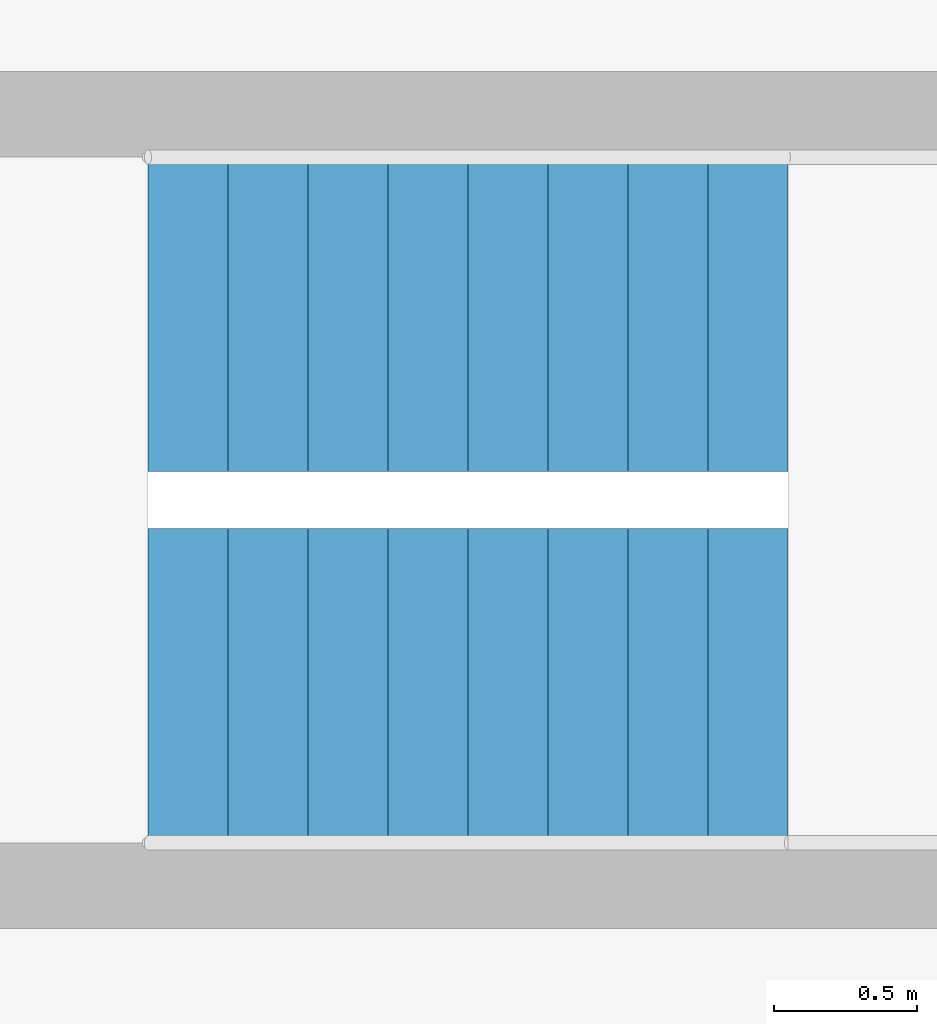
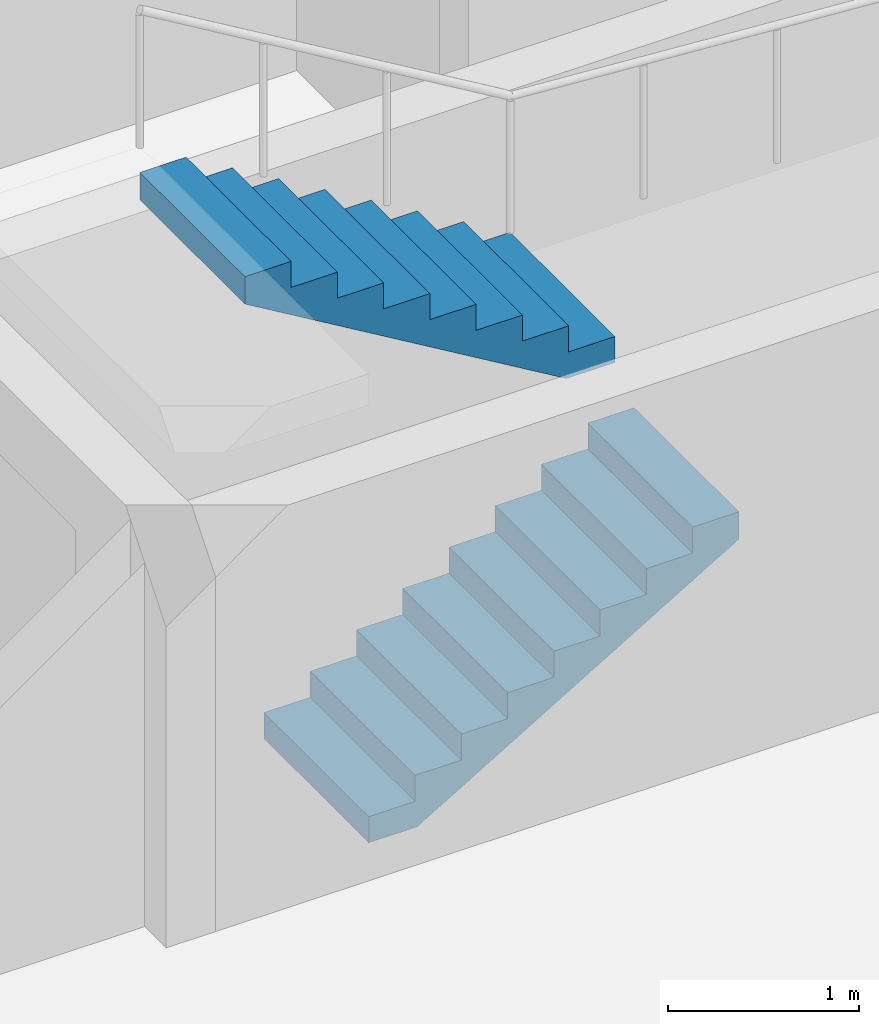
# One storey, part 12 of 14: 2 stair flights, 1 element without a shape of its own.
"""IFC4 building model written with IfcOpenShell, lengths in metres."""

from ifc_helpers import new_model, si_unit, direction, frame, origin, place, context, subcontext, project, spatial, polyline, outline, extrude, material, type_object, element, aggregate, save


model = new_model("IFC4")

# Units and contexts
model_context = context("Model", 3, precision=1e-05, world=origin(), true_north=direction((0.0, 1.0)))
body_context = subcontext(model_context, "Body", "Model", "MODEL_VIEW")
ifc_project = project(units=[si_unit("LENGTHUNIT", "METRE"), si_unit("AREAUNIT", "SQUARE_METRE"), si_unit("VOLUMEUNIT", "CUBIC_METRE"), si_unit("PLANEANGLEUNIT", "RADIAN"), si_unit("MASSUNIT", "GRAM", prefix="KILO")], contexts=[model_context])

# Site, building, storey
site_placement = place(None, origin())
site = spatial("IfcSite", under=ifc_project, at=site_placement, CompositionType="ELEMENT")
building_placement = place(site_placement, origin())
building = spatial("IfcBuilding", under=site, at=building_placement, Name="Fustian Cross Tower", CompositionType="ELEMENT")
storey_placement = place(building_placement, frame((0.0, 0.0, 96.89990234375)))
storey = spatial("IfcBuildingStorey", under=building, at=storey_placement, Name="L30", CompositionType="ELEMENT", Elevation=96.89990234375)

# Stair, stair flights
ifc_material_1 = material(Name="Concrete C50/60", Category="concrete")
stair_type = type_object("IfcStairType", Name="STAIR 1100 HALF TURN", PredefinedType="HALF_TURN_STAIR", material=ifc_material_1)
stair_placement = place(storey_placement, origin())
stair = element("IfcStair", 1, at=stair_placement, inside=storey, type_object=stair_type, Name="Stair ST8", PredefinedType="HALF_TURN_STAIR")
ifc_material_2 = material(Name="Concrete C50/60", Category="concrete")
stair_flight_type = type_object("IfcStairFlightType", Name="STAIR FLIGHT 1100", PredefinedType="STRAIGHT", material=ifc_material_2)
stair_flight_1_placement = place(storey_placement, frame((37.89990234375, -0.64990234375, 0.0), z_axis=(0.0, 0.0, 1.0), x_axis=(1.0, 0.0, 0.0)))
stair_flight_1 = element("IfcStairFlight", 2, at=stair_flight_1_placement, type_object=stair_flight_type, Name="ST8 flight 1", NumberOfRisers=9, NumberOfTreads=8, PredefinedType="STRAIGHT", RiserHeight=0.166666667, TreadLength=0.28, context=body_context, shape_type="SweptSolid", body=[
    extrude(outline(polyline([(0.0, 0.0), (0.0, 0.166748046875), (0.280029296875, 0.166748046875), (0.280029296875, 0.333251953125), (0.56005859375, 0.333251953125), (0.56005859375, 0.5), (0.840087890625, 0.5), (0.840087890625, 0.666748046875), (1.1201171875, 0.666748046875), (1.1201171875, 0.833251953125), (1.39990234375, 0.833251953125), (1.39990234375, 1.0), (1.679931640625, 1.0), (1.679931640625, 1.166748046875), (1.9599609375, 1.166748046875), (1.9599609375, 1.333251953125), (2.239990234375, 1.333251953125), (2.239990234375, 1.5), (2.239990234375, 1.158935546875), (0.29296875, 0.0), (0.0, 0.0)])), frame((0.0, 0.550048828125, 0.0), z_axis=(0.0, -1.0, 0.0), x_axis=(1.0, 0.0, 0.0)), (0.0, 0.0, 1.0), 1.10009765625),
])
stair_flight_2_placement = place(storey_placement, frame((40.139892578125, 0.64990234375, 1.5), z_axis=(0.0, 0.0, 1.0), x_axis=(-1.0, 0.0, 0.0)))
stair_flight_2 = element("IfcStairFlight", 3, at=stair_flight_2_placement, type_object=stair_flight_type, Name="ST8 flight 2", NumberOfRisers=9, NumberOfTreads=8, PredefinedType="STRAIGHT", RiserHeight=0.166666667, TreadLength=0.28, context=body_context, shape_type="SweptSolid", body=[
    extrude(outline(polyline([(0.0, 0.0), (0.0, 0.166748046875), (0.280029296875, 0.166748046875), (0.280029296875, 0.333251953125), (0.56005859375, 0.333251953125), (0.56005859375, 0.5), (0.840087890625, 0.5), (0.840087890625, 0.666748046875), (1.1201171875, 0.666748046875), (1.1201171875, 0.833251953125), (1.39990234375, 0.833251953125), (1.39990234375, 1.0), (1.679931640625, 1.0), (1.679931640625, 1.166748046875), (1.9599609375, 1.166748046875), (1.9599609375, 1.333251953125), (2.239990234375, 1.333251953125), (2.239990234375, 1.5), (2.239990234375, 1.158935546875), (0.29296875, 0.0), (0.0, 0.0)])), frame((0.0, 0.550048828125, 0.0), z_axis=(0.0, -1.0, 0.0), x_axis=(1.0, 0.0, 0.0)), (0.0, 0.0, 1.0), 1.10009765625),
])
aggregate(stair, [stair_flight_1, stair_flight_2])

save(model, "model.ifc")
